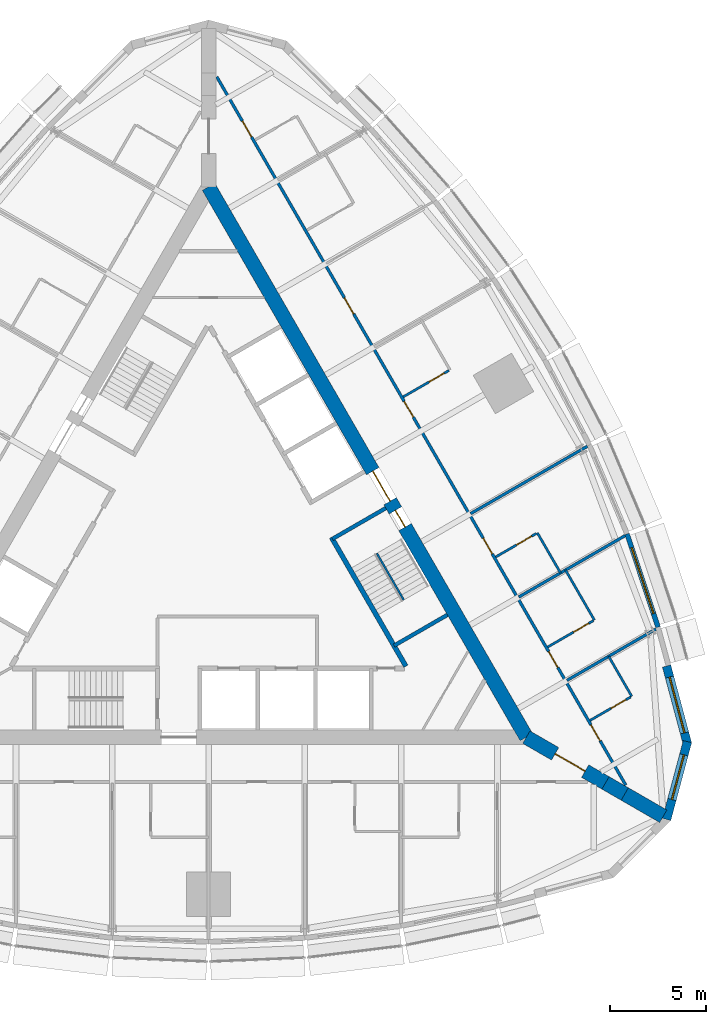
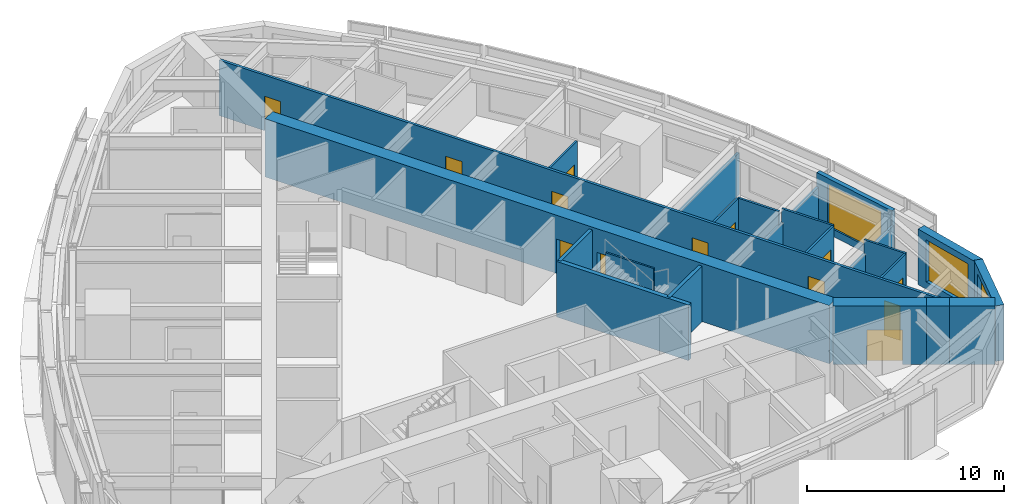
# One storey, part 12 of 15: 22 walls, 13 doors, 3 windows, 16 openings.
"""IFC4 building model written with IfcOpenShell, lengths in metres."""

from ifc_helpers import new_model, si_unit, direction, frame, frame_2d, origin, place, context, subcontext, project, spatial, polyline, rectangle, outline, extrude, material, layer, layer_set, type_object, element, fill, save


model = new_model("IFC4")

# Units and contexts
model_context = context("Model", 3, precision=1e-05, world=origin(), true_north=direction((0.0, 1.0)))
body_context = subcontext(model_context, "Body", "Model", "MODEL_VIEW")
ifc_project = project(units=[si_unit("LENGTHUNIT", "METRE"), si_unit("AREAUNIT", "SQUARE_METRE"), si_unit("VOLUMEUNIT", "CUBIC_METRE"), si_unit("PLANEANGLEUNIT", "RADIAN"), si_unit("MASSUNIT", "GRAM", prefix="KILO")], contexts=[model_context])

# Site, building, storey
site_placement = place(None, origin())
site = spatial("IfcSite", under=ifc_project, at=site_placement, CompositionType="ELEMENT")
building_placement = place(site_placement, origin())
building = spatial("IfcBuilding", under=site, at=building_placement, Name="Trikona Tower", CompositionType="ELEMENT")
storey_placement = place(building_placement, frame((0.0, 0.0, 211.699951171875)))
storey = spatial("IfcBuildingStorey", under=building, at=storey_placement, Name="L56", CompositionType="ELEMENT", Elevation=211.699951171875)

# Wall
ifc_material_1 = material(Name="Metal stud and cement board", Category="gypsum")
ifc_layer_1 = layer(ifc_material_1, 0.1201171875)
ifc_layer_set_1 = layer_set([ifc_layer_1], Name="Bathroom wall 120")
wall_type_1 = type_object("IfcWallType", Name="Bathroom wall 120", PredefinedType="PLUMBINGWALL", material=ifc_layer_set_1)
wall_1_placement = place(storey_placement, frame((21.972900390625, -7.40576171875, 0.0), z_axis=(0.0, 0.0, 1.0), x_axis=(-0.499957262057, 0.866050077142, 0.0)))
element("IfcWall", 1, at=wall_1_placement, inside=storey, type_object=wall_type_1, Name="Bathroom wall 5605", PredefinedType="PLUMBINGWALL", context=body_context, shape_type="SweptSolid", body=[
    extrude(rectangle(XDim=2.400146484375, YDim=0.1201171875, at=frame_2d((1.2001953125, 0.0))), origin(), (0.0, 0.0, 1.0), 3.43505859375),
])

# Wall, opening, door
wall_2_placement = place(storey_placement, frame((19.807861328125, -8.65576171875, 0.0), z_axis=(0.0, 0.0, 1.0), x_axis=(0.866023955769, 0.500002508028, 0.0)))
wall_2 = element("IfcWall", 2, at=wall_2_placement, inside=storey, type_object=wall_type_1, Name="Bathroom wall 5605", PredefinedType="PLUMBINGWALL", context=body_context, shape_type="SweptSolid", body=[
    extrude(rectangle(XDim=2.43994140625, YDim=0.1201171875, at=frame_2d((1.219970703125, 0.0))), origin(), (0.0, 0.0, 1.0), 3.43505859375),
])
opening_1_placement = place(wall_2_placement, frame((1.25, 0.0, 0.0)))
opening_1 = element("IfcOpeningElement", 3, at=opening_1_placement, cuts=wall_2, Name="Opening D2", PredefinedType="OPENING", context=body_context, shape_type="SweptSolid", body=[
    extrude(rectangle(XDim=0.89990234375, YDim=2.1298828125, at=frame_2d((0.449951171875, 1.06494140625))), frame((0.0, 0.070068359375, 0.0), z_axis=(0.0, -1.0, 0.0), x_axis=(1.0, 0.0, 0.0)), (0.0, 0.0, 1.0), 0.14013671875),
])
ifc_material_2 = material(Name="Steel door frame with solid-core timber leaf", Category="steel")
door_type_1 = type_object("IfcDoorType", Name="Bathroom door 900x2130", OperationType="SLIDING_TO_LEFT", PredefinedType="DOOR", material=ifc_material_2)
door_1_placement = place(opening_1_placement, origin())
door_1 = element("IfcDoor", 4, at=door_1_placement, inside=storey, type_object=door_type_1, Name="Bathroom door 5605", OperationType="SLIDING_TO_LEFT", OverallHeight=2.1298828125, OverallWidth=0.89990234375, PredefinedType="DOOR", context=body_context, shape_type="SweptSolid", body=[
    extrude(rectangle(XDim=0.89990234375, YDim=2.1298828125, at=frame_2d((0.449951171875, 1.06494140625))), frame((0.0, 0.02490234375, 0.0), z_axis=(0.0, -1.0, 0.0), x_axis=(1.0, 0.0, 0.0)), (0.0, 0.0, 1.0), 0.050048828125),
])
fill(opening_1, door_1)

# Wall
wall_3_placement = place(storey_placement, frame((20.03271484375, -3.4453125, 0.0), z_axis=(0.0, 0.0, 1.0), x_axis=(-0.499990139034, 0.866031096941, 0.0)))
element("IfcWall", 5, at=wall_3_placement, inside=storey, type_object=wall_type_1, Name="Bathroom wall 5606", PredefinedType="PLUMBINGWALL", context=body_context, shape_type="SweptSolid", body=[
    extrude(rectangle(XDim=3.0, YDim=0.1201171875, at=frame_2d((1.5, 0.0))), origin(), (0.0, 0.0, 1.0), 3.43505859375),
])

# Wall, opening, door
wall_4_placement = place(storey_placement, frame((17.60791015625, -4.84521484375, 0.0), z_axis=(0.0, 0.0, 1.0), x_axis=(0.865997131366, 0.500048966069, 0.0)))
wall_4 = element("IfcWall", 6, at=wall_4_placement, inside=storey, type_object=wall_type_1, Name="Bathroom wall 5606", PredefinedType="PLUMBINGWALL", context=body_context, shape_type="SweptSolid", body=[
    extrude(rectangle(XDim=2.739990234375, YDim=0.1201171875, at=frame_2d((1.3701171875, 0.0))), origin(), (0.0, 0.0, 1.0), 3.43505859375),
])
opening_2_placement = place(wall_4_placement, frame((1.550048828125, 0.0, 0.0)))
opening_2 = element("IfcOpeningElement", 7, at=opening_2_placement, cuts=wall_4, Name="Opening D2", PredefinedType="OPENING", context=body_context, shape_type="SweptSolid", body=[
    extrude(rectangle(XDim=0.89990234375, YDim=2.1298828125, at=frame_2d((0.449951171875, 1.06494140625))), frame((0.0, 0.070068359375, 0.0), z_axis=(0.0, -1.0, 0.0), x_axis=(1.0, 0.0, 0.0)), (0.0, 0.0, 1.0), 0.14013671875),
])
door_2_placement = place(opening_2_placement, origin())
door_2 = element("IfcDoor", 8, at=door_2_placement, inside=storey, type_object=door_type_1, Name="Bathroom door 5606", OperationType="SLIDING_TO_LEFT", OverallHeight=2.1298828125, OverallWidth=0.89990234375, PredefinedType="DOOR", context=body_context, shape_type="SweptSolid", body=[
    extrude(rectangle(XDim=0.89990234375, YDim=2.1298828125, at=frame_2d((0.449951171875, 1.06494140625))), frame((0.0, 0.02490234375, 0.0), z_axis=(0.0, -1.0, 0.0), x_axis=(1.0, 0.0, 0.0)), (0.0, 0.0, 1.0), 0.050048828125),
])
fill(opening_2, door_2)

# Wall
wall_5_placement = place(storey_placement, frame((18.27294921875, -0.9970703125, 0.0), z_axis=(0.0, 0.0, 1.0), x_axis=(-0.500001309137, 0.866024647952, 0.0)))
element("IfcWall", 9, at=wall_5_placement, inside=storey, type_object=wall_type_1, Name="Bathroom wall 5607", PredefinedType="PLUMBINGWALL", context=body_context, shape_type="SweptSolid", body=[
    extrude(rectangle(XDim=2.39990234375, YDim=0.1201171875, at=frame_2d((1.199951171875, 0.0))), origin(), (0.0, 0.0, 1.0), 3.43505859375),
])

# Wall, opening, door
wall_6_placement = place(storey_placement, frame((14.907958984375, -0.168701171875, 0.0), z_axis=(0.0, 0.0, 1.0), x_axis=(0.866023955769, 0.500002508028, 0.0)))
wall_6 = element("IfcWall", 10, at=wall_6_placement, inside=storey, type_object=wall_type_1, Name="Bathroom wall 5607", PredefinedType="PLUMBINGWALL", context=body_context, shape_type="SweptSolid", body=[
    extrude(rectangle(XDim=2.43994140625, YDim=0.1201171875, at=frame_2d((1.219970703125, 0.0))), origin(), (0.0, 0.0, 1.0), 3.43505859375),
])
opening_3_placement = place(wall_6_placement, frame((1.25, 0.0, 0.0)))
opening_3 = element("IfcOpeningElement", 11, at=opening_3_placement, cuts=wall_6, Name="Opening D2", PredefinedType="OPENING", context=body_context, shape_type="SweptSolid", body=[
    extrude(rectangle(XDim=0.89990234375, YDim=2.1298828125, at=frame_2d((0.449951171875, 1.06494140625))), frame((0.0, 0.070068359375, 0.0), z_axis=(0.0, -1.0, 0.0), x_axis=(1.0, 0.0, 0.0)), (0.0, 0.0, 1.0), 0.14013671875),
])
door_3_placement = place(opening_3_placement, origin())
door_3 = element("IfcDoor", 12, at=door_3_placement, inside=storey, type_object=door_type_1, Name="Bathroom door 5607", OperationType="SLIDING_TO_LEFT", OverallHeight=2.1298828125, OverallWidth=0.89990234375, PredefinedType="DOOR", context=body_context, shape_type="SweptSolid", body=[
    extrude(rectangle(XDim=0.89990234375, YDim=2.1298828125, at=frame_2d((0.449951171875, 1.06494140625))), frame((0.0, 0.02490234375, 0.0), z_axis=(0.0, -1.0, 0.0), x_axis=(1.0, 0.0, 0.0)), (0.0, 0.0, 1.0), 0.050048828125),
])
fill(opening_3, door_3)

wall_7_placement = place(storey_placement, frame((10.10791015625, 8.145263671875, 0.0), z_axis=(0.0, 0.0, 1.0), x_axis=(0.866035715982, 0.499982138324, 0.0)))
wall_7 = element("IfcWall", 13, at=wall_7_placement, inside=storey, type_object=wall_type_1, Name="Bathroom wall 5608", PredefinedType="PLUMBINGWALL", context=body_context, shape_type="SweptSolid", body=[
    extrude(rectangle(XDim=2.73974609375, YDim=0.1201171875, at=frame_2d((1.369873046875, 0.0))), origin(), (0.0, 0.0, 1.0), 3.43505859375),
])
opening_4_placement = place(wall_7_placement, frame((1.550048828125, 0.0, 0.0)))
opening_4 = element("IfcOpeningElement", 14, at=opening_4_placement, cuts=wall_7, Name="Opening D2", PredefinedType="OPENING", context=body_context, shape_type="SweptSolid", body=[
    extrude(rectangle(XDim=0.89990234375, YDim=2.1298828125, at=frame_2d((0.449951171875, 1.06494140625))), frame((0.0, 0.070068359375, 0.0), z_axis=(0.0, -1.0, 0.0), x_axis=(1.0, 0.0, 0.0)), (0.0, 0.0, 1.0), 0.14013671875),
])
door_4_placement = place(opening_4_placement, origin())
door_4 = element("IfcDoor", 15, at=door_4_placement, inside=storey, type_object=door_type_1, Name="Bathroom door 5608", OperationType="SLIDING_TO_LEFT", OverallHeight=2.1298828125, OverallWidth=0.89990234375, PredefinedType="DOOR", context=body_context, shape_type="SweptSolid", body=[
    extrude(rectangle(XDim=0.89990234375, YDim=2.1298828125, at=frame_2d((0.449951171875, 1.06494140625))), frame((0.0, 0.02490234375, 0.0), z_axis=(0.0, -1.0, 0.0), x_axis=(1.0, 0.0, 0.0)), (0.0, 0.0, 1.0), 0.050048828125),
])
fill(opening_4, door_4)

# Wall, opening, window
ifc_material_3 = material(Name="Brick-faced precast concrete", Category="masonry")
ifc_layer_2 = layer(ifc_material_3, 0.449951171875)
ifc_layer_set_2 = layer_set([ifc_layer_2], Name="Brick-faced corner wall 450")
wall_type_2 = type_object("IfcWallType", Name="Brick-faced corner wall 450", PredefinedType="SOLIDWALL", material=ifc_layer_set_2)
wall_8_placement = place(storey_placement, frame((23.78271484375, -13.798095703125, 0.0), z_axis=(0.0, 0.0, 1.0), x_axis=(0.258799282522, 0.96593112144, 0.0)))
wall_8 = element("IfcWall", 16, at=wall_8_placement, inside=storey, type_object=wall_type_2, Name="External wall L56-10", PredefinedType="SOLIDWALL", context=body_context, shape_type="SweptSolid", body=[
    extrude(outline(polyline([(4.183837890625, 0.22509765625), (0.5087890625, 0.22509765625), (0.478759765625, 0.112548828125), (0.059326171875, 0.22509765625), (0.0, 0.22509765625), (0.0, -0.22509765625), (4.183837890625, -0.22509765625), (4.183837890625, 0.22509765625)])), origin(), (0.0, 0.0, 1.0), 3.43505859375),
])
opening_5_placement = place(wall_8_placement, frame((1.0712890625, 0.0, 0.449951171875)))
opening_5 = element("IfcOpeningElement", 17, at=opening_5_placement, cuts=wall_8, Name="Opening W2426", PredefinedType="OPENING", context=body_context, shape_type="SweptSolid", body=[
    extrude(rectangle(XDim=2.39990234375, YDim=2.60009765625, at=frame_2d((1.199951171875, 1.300048828125))), frame((0.0, 0.23486328125, 0.0), z_axis=(0.0, -1.0, 0.0), x_axis=(1.0, 0.0, 0.0)), (0.0, 0.0, 1.0), 0.469970703125),
])
ifc_material_4 = material(Name="Aluminium-framed double glazing", Category="aluminium")
window_type_1 = type_object("IfcWindowType", Name="Window 2400x2600", PartitioningType="SINGLE_PANEL", PredefinedType="WINDOW", material=ifc_material_4)
window_1_placement = place(opening_5_placement, origin())
window_1 = element("IfcWindow", 18, at=window_1_placement, inside=storey, type_object=window_type_1, Name="Window 5605", OverallHeight=2.60009765625, OverallWidth=2.39990234375, PartitioningType="SINGLE_PANEL", PredefinedType="WINDOW", context=body_context, shape_type="SweptSolid", body=[
    extrude(rectangle(XDim=2.39990234375, YDim=2.60009765625, at=frame_2d((1.199951171875, 1.300048828125))), frame((0.0, 0.030029296875, 0.0), z_axis=(0.0, -1.0, 0.0), x_axis=(1.0, 0.0, 0.0)), (0.0, 0.0, 1.0), 0.06005859375),
])
fill(opening_5, window_1)

wall_9_placement = place(storey_placement, frame((24.865478515625, -9.873291015625, 0.0), z_axis=(0.0, 0.0, 1.0), x_axis=(-0.258784695888, 0.965935029479, 0.0)))
wall_9 = element("IfcWall", 19, at=wall_9_placement, inside=storey, type_object=wall_type_2, Name="External wall L56-11", PredefinedType="SOLIDWALL", context=body_context, shape_type="SweptSolid", body=[
    extrude(rectangle(XDim=4.18408203125, YDim=0.449951171875, at=frame_2d((2.092041015625, 0.0))), origin(), (0.0, 0.0, 1.0), 3.43505859375),
])
opening_6_placement = place(wall_9_placement, frame((0.592041015625, 0.0, 0.449951171875)))
opening_6 = element("IfcOpeningElement", 20, at=opening_6_placement, cuts=wall_9, Name="Opening W3026", PredefinedType="OPENING", context=body_context, shape_type="SweptSolid", body=[
    extrude(rectangle(XDim=3.0, YDim=2.60009765625, at=frame_2d((1.5, 1.300048828125))), frame((0.0, 0.23486328125, 0.0), z_axis=(0.0, -1.0, 0.0), x_axis=(1.0, 0.0, 0.0)), (0.0, 0.0, 1.0), 0.469970703125),
])
ifc_material_5 = material(Name="Aluminium-framed double glazing", Category="aluminium")
window_type_2 = type_object("IfcWindowType", Name="Window 3000x2600", PartitioningType="SINGLE_PANEL", PredefinedType="WINDOW", material=ifc_material_5)
window_2_placement = place(opening_6_placement, origin())
window_2 = element("IfcWindow", 21, at=window_2_placement, inside=storey, type_object=window_type_2, Name="Window 5605", OverallHeight=2.60009765625, OverallWidth=3.0, PartitioningType="SINGLE_PANEL", PredefinedType="WINDOW", context=body_context, shape_type="SweptSolid", body=[
    extrude(rectangle(XDim=3.0, YDim=2.60009765625, at=frame_2d((1.5, 1.300048828125))), frame((0.0, 0.030029296875, 0.0), z_axis=(0.0, -1.0, 0.0), x_axis=(1.0, 0.0, 0.0)), (0.0, 0.0, 1.0), 0.06005859375),
])
fill(opening_6, window_2)

# Wall, opening, door
ifc_material_6 = material(Name="Concrete f'c 10000 psi", Category="concrete")
ifc_layer_3 = layer(ifc_material_6, 0.75)
ifc_layer_set_3 = layer_set([ifc_layer_3], Name="Buttress wall 750")
wall_type_3 = type_object("IfcWallType", Name="Buttress wall 750", PredefinedType="SHEAR", material=ifc_layer_set_3)
wall_10_placement = place(storey_placement, frame((16.5, -9.5263671875, 0.0), z_axis=(0.0, 0.0, 1.0), x_axis=(0.866031398331, -0.499989616998, 0.0)))
wall_10 = element("IfcWall", 22, at=wall_10_placement, inside=storey, type_object=wall_type_3, Name="Buttress wall 1", PredefinedType="SHEAR", context=body_context, shape_type="SweptSolid", body=[
    extrude(rectangle(XDim=4.74609375, YDim=0.75, at=frame_2d((2.373046875, 0.0))), origin(), (0.0, 0.0, 1.0), 3.60009765625),
])
opening_7_placement = place(wall_10_placement, frame((1.72509765625, 0.0, 0.0)))
opening_7 = element("IfcOpeningElement", 23, at=opening_7_placement, cuts=wall_10, Name="Opening D10", PredefinedType="OPENING", context=body_context, shape_type="SweptSolid", body=[
    extrude(rectangle(XDim=1.800048828125, YDim=2.1298828125, at=frame_2d((0.89990234375, 1.06494140625))), frame((0.0, 0.385009765625, 0.0), z_axis=(0.0, -1.0, 0.0), x_axis=(1.0, 0.0, 0.0)), (0.0, 0.0, 1.0), 0.77001953125),
])
ifc_material_7 = material(Name="Hollow metal door and frame", Category="steel")
door_type_2 = type_object("IfcDoorType", Name="Cross-corridor door pair 1800x2130", OperationType="DOUBLE_DOOR_DOUBLE_SWING", PredefinedType="DOOR", material=ifc_material_7)
door_5_placement = place(opening_7_placement, origin())
door_5 = element("IfcDoor", 24, at=door_5_placement, inside=storey, type_object=door_type_2, Name="Cross-corridor door 1", OperationType="DOUBLE_DOOR_DOUBLE_SWING", OverallHeight=2.1298828125, OverallWidth=1.800048828125, PredefinedType="DOOR", context=body_context, shape_type="SweptSolid", body=[
    extrude(rectangle(XDim=1.800048828125, YDim=2.1298828125, at=frame_2d((0.89990234375, 1.06494140625))), frame((0.0, 0.02490234375, 0.0), z_axis=(0.0, -1.0, 0.0), x_axis=(1.0, 0.0, 0.0)), (0.0, 0.0, 1.0), 0.050048828125),
])
fill(opening_7, door_5)

# Walls
wall_11_placement = place(storey_placement, frame((20.6103515625, -11.8994140625, 0.0), z_axis=(0.0, 0.0, 1.0), x_axis=(0.866009537788, -0.500027479704, 0.0)))
element("IfcWall", 25, at=wall_11_placement, inside=storey, type_object=wall_type_3, Name="Buttress wall 1 part 2", PredefinedType="SHEAR", context=body_context, shape_type="SweptSolid", body=[
    extrude(rectangle(XDim=1.15478515625, YDim=0.75, at=frame_2d((0.577392578125, 0.0))), origin(), (0.0, 0.0, 1.0), 3.60009765625),
])
wall_12_placement = place(storey_placement, frame((21.6103515625, -12.476806640625, 0.0), z_axis=(0.0, 0.0, 1.0), x_axis=(0.866055313784, -0.499948190782, 0.0)))
element("IfcWall", 26, at=wall_12_placement, inside=storey, type_object=wall_type_3, Name="Buttress wall 1 part 3", PredefinedType="SHEAR", context=body_context, shape_type="SweptSolid", body=[
    extrude(rectangle(XDim=2.309326171875, YDim=0.75, at=frame_2d((1.15478515625, 0.0))), origin(), (0.0, 0.0, 1.0), 3.60009765625),
])

# Wall, openings, doors
ifc_material_8 = material(Name="Concrete f'c 10000 psi", Category="concrete")
ifc_layer_4 = layer(ifc_material_8, 0.75)
ifc_layer_set_4 = layer_set([ifc_layer_4], Name="Core wall 750")
wall_type_4 = type_object("IfcWallType", Name="Core wall 750", PredefinedType="SHEAR", material=ifc_layer_set_4)
wall_13_placement = place(storey_placement, frame((16.5, -9.5263671875, 0.0), z_axis=(0.0, 0.0, 1.0), x_axis=(-0.499999749417, 0.866025548458, 0.0)))
wall_13 = element("IfcWall", 27, at=wall_13_placement, inside=storey, type_object=wall_type_4, Name="Core wall B", PredefinedType="SHEAR", context=body_context, shape_type="SweptSolid", body=[
    extrude(rectangle(XDim=33.0, YDim=0.75, at=frame_2d((16.5, 0.0))), origin(), (0.0, 0.0, 1.0), 3.60009765625),
])
opening_8_placement = place(wall_13_placement, frame((14.14990234375, 0.0, 0.0)))
opening_8 = element("IfcOpeningElement", 28, at=opening_8_placement, cuts=wall_13, Name="Opening D6", PredefinedType="OPENING", context=body_context, shape_type="SweptSolid", body=[
    extrude(rectangle(XDim=1.800048828125, YDim=2.1298828125, at=frame_2d((0.89990234375, 1.06494140625))), frame((0.0, 0.385009765625, 0.0), z_axis=(0.0, -1.0, 0.0), x_axis=(1.0, 0.0, 0.0)), (0.0, 0.0, 1.0), 0.77001953125),
])
opening_9_placement = place(wall_13_placement, frame((12.60009765625, 0.0, 0.0)))
opening_9 = element("IfcOpeningElement", 29, at=opening_9_placement, cuts=wall_13, Name="Opening D5", PredefinedType="OPENING", context=body_context, shape_type="SweptSolid", body=[
    extrude(rectangle(XDim=1.0, YDim=2.1298828125, at=frame_2d((0.5, 1.06494140625))), frame((0.0, 0.385009765625, 0.0), z_axis=(0.0, -1.0, 0.0), x_axis=(1.0, 0.0, 0.0)), (0.0, 0.0, 1.0), 0.77001953125),
])
ifc_material_9 = material(Name="Hollow metal door and frame", Category="steel")
door_type_3 = type_object("IfcDoorType", Name="Lobby door pair 1800x2130", OperationType="DOUBLE_DOOR_SINGLE_SWING", PredefinedType="DOOR", material=ifc_material_9)
door_6_placement = place(opening_8_placement, origin())
door_6 = element("IfcDoor", 30, at=door_6_placement, inside=storey, type_object=door_type_3, Name="Lift lobby door B", OperationType="DOUBLE_DOOR_SINGLE_SWING", OverallHeight=2.1298828125, OverallWidth=1.800048828125, PredefinedType="DOOR", context=body_context, shape_type="SweptSolid", body=[
    extrude(rectangle(XDim=1.800048828125, YDim=2.1298828125, at=frame_2d((0.89990234375, 1.06494140625))), frame((0.0, 0.02490234375, 0.0), z_axis=(0.0, -1.0, 0.0), x_axis=(1.0, 0.0, 0.0)), (0.0, 0.0, 1.0), 0.050048828125),
])
fill(opening_8, door_6)
ifc_material_10 = material(Name="Hollow metal door and frame", Category="steel")
door_type_4 = type_object("IfcDoorType", Name="Stair door 1000x2130", OperationType="SINGLE_SWING_LEFT", PredefinedType="DOOR", material=ifc_material_10)
door_7_placement = place(opening_9_placement, origin())
door_7 = element("IfcDoor", 31, at=door_7_placement, inside=storey, type_object=door_type_4, Name="Stair B door", OperationType="SINGLE_SWING_RIGHT", OverallHeight=2.1298828125, OverallWidth=1.0, PredefinedType="DOOR", context=body_context, shape_type="SweptSolid", body=[
    extrude(rectangle(XDim=1.0, YDim=2.1298828125, at=frame_2d((0.5, 1.06494140625))), frame((0.0, 0.02490234375, 0.0), z_axis=(0.0, -1.0, 0.0), x_axis=(1.0, 0.0, 0.0)), (0.0, 0.0, 1.0), 0.050048828125),
])
fill(opening_9, door_7)

ifc_material_11 = material(Name="Metal stud and gypsum board, 1-hour", Category="gypsum")
ifc_layer_5 = layer(ifc_material_11, 0.14990234375)
ifc_layer_set_5 = layer_set([ifc_layer_5], Name="Corridor wall 150")
wall_type_5 = type_object("IfcWallType", Name="Corridor wall 150", PredefinedType="PARTITIONING", material=ifc_layer_set_5)
wall_14_placement = place(storey_placement, frame((21.660888671875, -12.01513671875, 0.0), z_axis=(0.0, 0.0, 1.0), x_axis=(-0.500000605707, 0.866025054079, 0.0)))
wall_14 = element("IfcWall", 32, at=wall_14_placement, inside=storey, type_object=wall_type_5, Name="Corridor wall L56-2", PredefinedType="PARTITIONING", context=body_context, shape_type="SweptSolid", body=[
    extrude(rectangle(XDim=42.4716796875, YDim=0.14990234375, at=frame_2d((21.23583984375, 0.0))), origin(), (0.0, 0.0, 1.0), 3.43505859375),
])
opening_10_placement = place(wall_14_placement, frame((2.660888671875, 0.0, 0.0)))
opening_10 = element("IfcOpeningElement", 33, at=opening_10_placement, cuts=wall_14, Name="Opening D1", PredefinedType="OPENING", context=body_context, shape_type="SweptSolid", body=[
    extrude(rectangle(XDim=0.949951171875, YDim=2.1298828125, at=frame_2d((0.47509765625, 1.06494140625))), frame((0.0, 0.0849609375, 0.0), z_axis=(0.0, -1.0, 0.0), x_axis=(1.0, 0.0, 0.0)), (0.0, 0.0, 1.0), 0.169921875),
])
opening_11_placement = place(wall_14_placement, frame((7.060791015625, 0.0, 0.0)))
opening_11 = element("IfcOpeningElement", 34, at=opening_11_placement, cuts=wall_14, Name="Opening D1", PredefinedType="OPENING", context=body_context, shape_type="SweptSolid", body=[
    extrude(rectangle(XDim=0.949951171875, YDim=2.1298828125, at=frame_2d((0.47509765625, 1.06494140625))), frame((0.0, 0.0849609375, 0.0), z_axis=(0.0, -1.0, 0.0), x_axis=(1.0, 0.0, 0.0)), (0.0, 0.0, 1.0), 0.169921875),
])
opening_12_placement = place(wall_14_placement, frame((13.86083984375, 0.0, 0.0)))
opening_12 = element("IfcOpeningElement", 35, at=opening_12_placement, cuts=wall_14, Name="Opening D1", PredefinedType="OPENING", context=body_context, shape_type="SweptSolid", body=[
    extrude(rectangle(XDim=0.949951171875, YDim=2.1298828125, at=frame_2d((0.47509765625, 1.06494140625))), frame((0.0, 0.0849609375, 0.0), z_axis=(0.0, -1.0, 0.0), x_axis=(1.0, 0.0, 0.0)), (0.0, 0.0, 1.0), 0.169921875),
])
opening_13_placement = place(wall_14_placement, frame((22.060791015625, 0.0, 0.0)))
opening_13 = element("IfcOpeningElement", 36, at=opening_13_placement, cuts=wall_14, Name="Opening D1", PredefinedType="OPENING", context=body_context, shape_type="SweptSolid", body=[
    extrude(rectangle(XDim=0.949951171875, YDim=2.1298828125, at=frame_2d((0.47509765625, 1.06494140625))), frame((0.0, 0.0849609375, 0.0), z_axis=(0.0, -1.0, 0.0), x_axis=(1.0, 0.0, 0.0)), (0.0, 0.0, 1.0), 0.169921875),
])
opening_14_placement = place(wall_14_placement, frame((28.260986328125, 0.0, 0.0)))
opening_14 = element("IfcOpeningElement", 37, at=opening_14_placement, cuts=wall_14, Name="Opening D1", PredefinedType="OPENING", context=body_context, shape_type="SweptSolid", body=[
    extrude(rectangle(XDim=0.949951171875, YDim=2.1298828125, at=frame_2d((0.47509765625, 1.06494140625))), frame((0.0, 0.0849609375, 0.0), z_axis=(0.0, -1.0, 0.0), x_axis=(1.0, 0.0, 0.0)), (0.0, 0.0, 1.0), 0.169921875),
])
opening_15_placement = place(wall_14_placement, frame((38.86083984375, 0.0, 0.0)))
opening_15 = element("IfcOpeningElement", 38, at=opening_15_placement, cuts=wall_14, Name="Opening D1", PredefinedType="OPENING", context=body_context, shape_type="SweptSolid", body=[
    extrude(rectangle(XDim=0.949951171875, YDim=2.1298828125, at=frame_2d((0.47509765625, 1.06494140625))), frame((0.0, 0.0849609375, 0.0), z_axis=(0.0, -1.0, 0.0), x_axis=(1.0, 0.0, 0.0)), (0.0, 0.0, 1.0), 0.169921875),
])
ifc_material_12 = material(Name="Steel door frame with solid-core timber leaf", Category="steel")
door_type_5 = type_object("IfcDoorType", Name="Guest room door 950x2130", OperationType="SINGLE_SWING_LEFT", PredefinedType="DOOR", material=ifc_material_12)
door_8_placement = place(opening_10_placement, origin())
door_8 = element("IfcDoor", 39, at=door_8_placement, inside=storey, type_object=door_type_5, Name="Room door 5605", OperationType="SINGLE_SWING_LEFT", OverallHeight=2.1298828125, OverallWidth=0.949951171875, PredefinedType="DOOR", context=body_context, shape_type="SweptSolid", body=[
    extrude(rectangle(XDim=0.949951171875, YDim=2.1298828125, at=frame_2d((0.47509765625, 1.06494140625))), frame((0.0, 0.02490234375, 0.0), z_axis=(0.0, -1.0, 0.0), x_axis=(1.0, 0.0, 0.0)), (0.0, 0.0, 1.0), 0.050048828125),
])
fill(opening_10, door_8)
door_9_placement = place(opening_11_placement, origin())
door_9 = element("IfcDoor", 40, at=door_9_placement, inside=storey, type_object=door_type_5, Name="Room door 5606", OperationType="SINGLE_SWING_RIGHT", OverallHeight=2.1298828125, OverallWidth=0.949951171875, PredefinedType="DOOR", context=body_context, shape_type="SweptSolid", body=[
    extrude(rectangle(XDim=0.949951171875, YDim=2.1298828125, at=frame_2d((0.47509765625, 1.06494140625))), frame((0.0, 0.02490234375, 0.0), z_axis=(0.0, -1.0, 0.0), x_axis=(1.0, 0.0, 0.0)), (0.0, 0.0, 1.0), 0.050048828125),
])
fill(opening_11, door_9)
door_10_placement = place(opening_12_placement, origin())
door_10 = element("IfcDoor", 41, at=door_10_placement, inside=storey, type_object=door_type_5, Name="Room door 5607", OperationType="SINGLE_SWING_LEFT", OverallHeight=2.1298828125, OverallWidth=0.949951171875, PredefinedType="DOOR", context=body_context, shape_type="SweptSolid", body=[
    extrude(rectangle(XDim=0.949951171875, YDim=2.1298828125, at=frame_2d((0.47509765625, 1.06494140625))), frame((0.0, 0.02490234375, 0.0), z_axis=(0.0, -1.0, 0.0), x_axis=(1.0, 0.0, 0.0)), (0.0, 0.0, 1.0), 0.050048828125),
])
fill(opening_12, door_10)
door_11_placement = place(opening_13_placement, origin())
door_11 = element("IfcDoor", 42, at=door_11_placement, inside=storey, type_object=door_type_5, Name="Room door 5608", OperationType="SINGLE_SWING_RIGHT", OverallHeight=2.1298828125, OverallWidth=0.949951171875, PredefinedType="DOOR", context=body_context, shape_type="SweptSolid", body=[
    extrude(rectangle(XDim=0.949951171875, YDim=2.1298828125, at=frame_2d((0.47509765625, 1.06494140625))), frame((0.0, 0.02490234375, 0.0), z_axis=(0.0, -1.0, 0.0), x_axis=(1.0, 0.0, 0.0)), (0.0, 0.0, 1.0), 0.050048828125),
])
fill(opening_13, door_11)
door_12_placement = place(opening_14_placement, origin())
door_12 = element("IfcDoor", 43, at=door_12_placement, inside=storey, type_object=door_type_5, Name="Room door 5609", OperationType="SINGLE_SWING_LEFT", OverallHeight=2.1298828125, OverallWidth=0.949951171875, PredefinedType="DOOR", context=body_context, shape_type="SweptSolid", body=[
    extrude(rectangle(XDim=0.949951171875, YDim=2.1298828125, at=frame_2d((0.47509765625, 1.06494140625))), frame((0.0, 0.02490234375, 0.0), z_axis=(0.0, -1.0, 0.0), x_axis=(1.0, 0.0, 0.0)), (0.0, 0.0, 1.0), 0.050048828125),
])
fill(opening_14, door_12)
door_13_placement = place(opening_15_placement, origin())
door_13 = element("IfcDoor", 44, at=door_13_placement, inside=storey, type_object=door_type_5, Name="Room door 5610", OperationType="SINGLE_SWING_RIGHT", OverallHeight=2.1298828125, OverallWidth=0.949951171875, PredefinedType="DOOR", context=body_context, shape_type="SweptSolid", body=[
    extrude(rectangle(XDim=0.949951171875, YDim=2.1298828125, at=frame_2d((0.47509765625, 1.06494140625))), frame((0.0, 0.02490234375, 0.0), z_axis=(0.0, -1.0, 0.0), x_axis=(1.0, 0.0, 0.0)), (0.0, 0.0, 1.0), 0.050048828125),
])
fill(opening_15, door_13)

# Wall
ifc_material_13 = material(Name="Concrete f'c 8000 psi", Category="concrete")
ifc_layer_6 = layer(ifc_material_13, 0.25)
ifc_layer_set_6 = layer_set([ifc_layer_6], Name="Hub wall 250")
wall_type_6 = type_object("IfcWallType", Name="Hub wall 250", PredefinedType="SOLIDWALL", material=ifc_layer_set_6)
wall_15_placement = place(storey_placement, frame((10.245361328125, -5.843017578125, 0.0), z_axis=(0.0, 0.0, 1.0), x_axis=(-0.499993009313, 0.866029439822, 0.0)))
element("IfcWall", 45, at=wall_15_placement, inside=storey, type_object=wall_type_6, Name="Lift lobby wall B1", PredefinedType="SOLIDWALL", context=body_context, shape_type="SweptSolid", body=[
    extrude(rectangle(XDim=7.73291015625, YDim=0.25, at=frame_2d((3.866455078125, 0.0))), origin(), (0.0, 0.0, 1.0), 3.43505859375),
])

# Wall, opening, window
ifc_material_14 = material(Name="Insulated precast concrete spandrel panel", Category="concrete")
ifc_layer_7 = layer(ifc_material_14, 0.25)
ifc_layer_set_7 = layer_set([ifc_layer_7], Name="Inner skin wall 250")
wall_type_7 = type_object("IfcWallType", Name="Inner skin wall 250", PredefinedType="STANDARD", material=ifc_layer_set_7)
wall_16_placement = place(storey_placement, frame((23.337890625, -3.8173828125, 0.0), z_axis=(0.0, 0.0, 1.0), x_axis=(-0.315108478109, 0.949055660656, 0.0)))
wall_16 = element("IfcWall", 46, at=wall_16_placement, inside=storey, type_object=wall_type_7, Name="External wall L56-13", PredefinedType="STANDARD", context=body_context, shape_type="SweptSolid", body=[
    extrude(rectangle(XDim=5.10498046875, YDim=0.25, at=frame_2d((2.552490234375, 0.0))), origin(), (0.0, 0.0, 1.0), 3.43505859375),
])
opening_16_placement = place(wall_16_placement, frame((0.75244140625, 0.0, 0.449951171875)))
opening_16 = element("IfcOpeningElement", 47, at=opening_16_placement, cuts=wall_16, Name="Opening W3626", PredefinedType="OPENING", context=body_context, shape_type="SweptSolid", body=[
    extrude(rectangle(XDim=3.60009765625, YDim=2.60009765625, at=frame_2d((1.800048828125, 1.300048828125))), frame((0.0, 0.135009765625, 0.0), z_axis=(0.0, -1.0, 0.0), x_axis=(1.0, 0.0, 0.0)), (0.0, 0.0, 1.0), 0.27001953125),
])
ifc_material_15 = material(Name="Aluminium-framed double glazing", Category="aluminium")
window_type_3 = type_object("IfcWindowType", Name="Window 3600x2600", PartitioningType="SINGLE_PANEL", PredefinedType="WINDOW", material=ifc_material_15)
window_3_placement = place(opening_16_placement, origin())
window_3 = element("IfcWindow", 48, at=window_3_placement, inside=storey, type_object=window_type_3, Name="Window 5606", OverallHeight=2.60009765625, OverallWidth=3.60009765625, PartitioningType="SINGLE_PANEL", PredefinedType="WINDOW", context=body_context, shape_type="SweptSolid", body=[
    extrude(rectangle(XDim=3.60009765625, YDim=2.60009765625, at=frame_2d((1.800048828125, 1.300048828125))), frame((0.0, 0.030029296875, 0.0), z_axis=(0.0, -1.0, 0.0), x_axis=(1.0, 0.0, 0.0)), (0.0, 0.0, 1.0), 0.06005859375),
])
fill(opening_16, window_3)

# Walls
ifc_material_16 = material(Name="Metal stud and gypsum board, 1-hour acoustic", Category="gypsum")
ifc_layer_8 = layer(ifc_material_16, 0.14990234375)
ifc_layer_set_8 = layer_set([ifc_layer_8], Name="Party wall 150")
wall_type_8 = type_object("IfcWallType", Name="Party wall 150", PredefinedType="PARTITIONING", material=ifc_layer_set_8)
wall_17_placement = place(storey_placement, frame((18.60791015625, -6.5771484375, 0.0), z_axis=(0.0, 0.0, 1.0), x_axis=(0.866028745538, 0.499994211868, 0.0)))
element("IfcWall", 49, at=wall_17_placement, inside=storey, type_object=wall_type_8, Name="Partition L56 F2 u-15", PredefinedType="PARTITIONING", context=body_context, shape_type="SweptSolid", body=[
    extrude(rectangle(XDim=5.33984375, YDim=0.14990234375, at=frame_2d((2.669921875, 0.0))), origin(), (0.0, 0.0, 1.0), 2.58935546875),
])
wall_18_placement = place(storey_placement, frame((16.10791015625, -2.2470703125, 0.0), z_axis=(0.0, 0.0, 1.0), x_axis=(0.866035028144, 0.499983329749, 0.0)))
element("IfcWall", 50, at=wall_18_placement, inside=storey, type_object=wall_type_8, Name="Partition L56 F2 u-10", PredefinedType="PARTITIONING", context=body_context, shape_type="SweptSolid", body=[
    extrude(rectangle(XDim=6.372802734375, YDim=0.14990234375, at=frame_2d((3.1865234375, 0.0))), origin(), (0.0, 0.0, 1.0), 2.58935546875),
])
wall_19_placement = place(storey_placement, frame((13.60791015625, 2.0830078125, 0.0), z_axis=(0.0, 0.0, 1.0), x_axis=(0.866032701937, 0.499987359016, 0.0)))
element("IfcWall", 51, at=wall_19_placement, inside=storey, type_object=wall_type_8, Name="Partition L56 F2 u-5", PredefinedType="PARTITIONING", context=body_context, shape_type="SweptSolid", body=[
    extrude(rectangle(XDim=6.993896484375, YDim=0.14990234375, at=frame_2d((3.4970703125, 0.0))), origin(), (0.0, 0.0, 1.0), 2.58935546875),
])
ifc_material_17 = material(Name="Concrete f'c 8000 psi", Category="concrete")
ifc_layer_9 = layer(ifc_material_17, 0.199951171875)
ifc_layer_set_9 = layer_set([ifc_layer_9], Name="Shaft wall 200 load-bearing")
wall_type_9 = type_object("IfcWallType", Name="Shaft wall 200 load-bearing", PredefinedType="SOLIDWALL", material=ifc_layer_set_9)
for number, where, z_axis, x_axis, name in (
    (52, (9.62890625, -4.775390625, 0.0), (0.0, 0.0, 1.0), (0.866008981251, 0.500028443584, 0.0), "Shaft wall B1"),
    (53, (6.428955078125, 0.767333984375, 0.0), (0.0, 0.0, 1.0), (0.866042017984, 0.499971222258, 0.0), "Shaft wall B2"),
):
    element("IfcWall", number, at=place(storey_placement, frame(where, z_axis=z_axis, x_axis=x_axis)), inside=storey, type_object=wall_type_9, Name=name, PredefinedType="SOLIDWALL", context=body_context, shape_type="SweptSolid", body=[
        extrude(rectangle(XDim=3.199951171875, YDim=0.199951171875, at=frame_2d((1.60009765625, 0.0))), origin(), (0.0, 0.0, 1.0), 3.43505859375),
    ])
ifc_material_18 = material(Name="Concrete f'c 5000 psi", Category="concrete")
ifc_layer_10 = layer(ifc_material_18, 0.10009765625)
ifc_layer_set_10 = layer_set([ifc_layer_10], Name="Stair spine wall 100")
wall_type_10 = type_object("IfcWallType", Name="Stair spine wall 100", PredefinedType="SOLIDWALL", material=ifc_layer_set_10)
wall_20_placement = place(storey_placement, frame((10.134765625, -2.4013671875, 0.0), z_axis=(0.0, 0.0, 1.0), x_axis=(-0.499992232847, 0.866029888106, 0.0)))
element("IfcWall", 54, at=wall_20_placement, inside=storey, type_object=wall_type_10, Name="Stair B spine wall L56", PredefinedType="SOLIDWALL", context=body_context, shape_type="SweptSolid", body=[
    extrude(rectangle(XDim=2.7939453125, YDim=0.10009765625, at=frame_2d((1.39697265625, 0.0))), origin(), (0.0, 0.0, 1.0), 3.60009765625),
])

save(model, "model.ifc")
